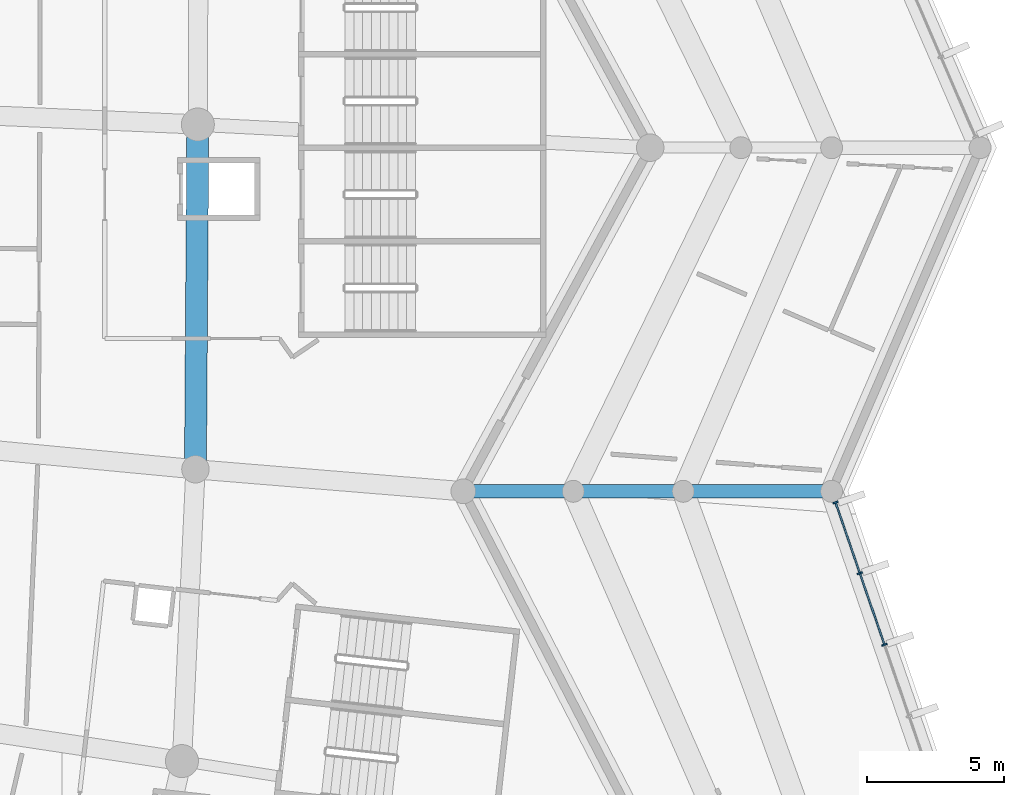
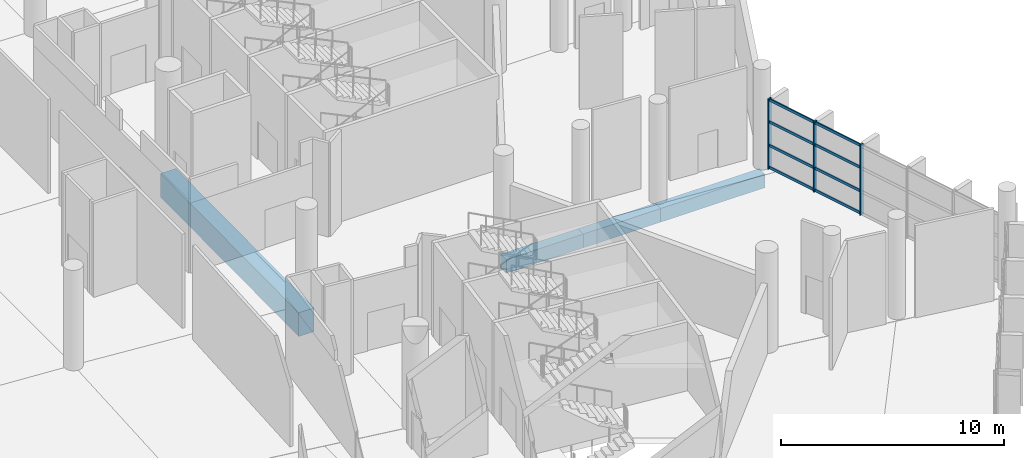
# One storey, part 59 of 271: 11 members, 4 beams, 1 element without a shape of its own.
"""IFC4 building model written with IfcOpenShell, lengths in metres."""

from ifc_helpers import new_model, si_unit, direction, frame, origin, origin_2d, place, context, subcontext, project, spatial, rectangle, extrude, material, layer, layer_set, material_profile, profile_set, type_object, element, aggregate, save


model = new_model("IFC4")

# Units and contexts
model_context = context("Model", 3, precision=1e-05, world=origin(), true_north=direction((0.0, 1.0)))
body_context = subcontext(model_context, "Body", "Model", "MODEL_VIEW")
ifc_project = project(units=[si_unit("LENGTHUNIT", "METRE"), si_unit("AREAUNIT", "SQUARE_METRE"), si_unit("VOLUMEUNIT", "CUBIC_METRE"), si_unit("PLANEANGLEUNIT", "RADIAN"), si_unit("MASSUNIT", "GRAM", prefix="KILO")], contexts=[model_context])

# Site, building, storey
site_placement = place(None, origin())
site = spatial("IfcSite", under=ifc_project, at=site_placement, CompositionType="ELEMENT")
building_placement = place(site_placement, origin())
building = spatial("IfcBuilding", under=site, at=building_placement, Name="Meseta Stadium", CompositionType="ELEMENT")
storey_placement = place(building_placement, frame((0.0, 0.0, 6.5)))
storey = spatial("IfcBuildingStorey", under=building, at=storey_placement, Name="L01", CompositionType="ELEMENT", Elevation=6.5)

# Beams
ifc_material_1 = material(Name="Concrete C40/50", Category="concrete")
ifc_material_profile_1 = material_profile(ifc_material_1, rectangle(XDim=0.5, YDim=0.75, at=origin_2d()), Name="RC 500x750")
ifc_profile_set_1 = profile_set([ifc_material_profile_1], Name="Concrete C40/50")
beam_type_1 = type_object("IfcBeamType", Name="RC beam 500x750", PredefinedType="BEAM", material=ifc_profile_set_1)
for number, where, z_axis, x_axis, name in (
    (1, (94.60009765625, -43.75, -0.72509765625), (1.0, 0.0, 0.0), (0.0, 1.0, 0.0), "L01 radial beam frame 1 line R to M"),
    (2, (98.60009765625, -43.75, -0.72509765625), (1.0, 0.0, 0.0), (0.0, 1.0, 0.0), "L01 radial beam frame 1 line M to Q"),
):
    element("IfcBeam", number, at=place(storey_placement, frame(where, z_axis=z_axis, x_axis=x_axis)), inside=storey, type_object=beam_type_1, Name=name, PredefinedType="BEAM", context=body_context, shape_type="SweptSolid", body=[
        extrude(rectangle(XDim=0.5, YDim=0.75, at=origin_2d()), origin(), (0.0, 0.0, 1.0), 4.0),
    ])
beam_1_placement = place(storey_placement, frame((102.60009765625, -43.75, -0.72509765625), z_axis=(1.0, 0.0, 0.0), x_axis=(0.0, 1.0, 0.0)))
element("IfcBeam", 3, at=beam_1_placement, inside=storey, type_object=beam_type_1, Name="L01 radial beam frame 1 line Q to O", PredefinedType="BEAM", context=body_context, shape_type="SweptSolid", body=[
    extrude(rectangle(XDim=0.5, YDim=0.75, at=origin_2d()), origin(), (0.0, 0.0, 1.0), 5.39990234375),
])
ifc_material_2 = material(Name="Concrete C40/50", Category="concrete")
ifc_material_profile_2 = material_profile(ifc_material_2, rectangle(XDim=0.800048828125, YDim=1.300048828125, at=origin_2d()), Name="RC 800x1300")
ifc_profile_set_2 = profile_set([ifc_material_profile_2], Name="Concrete C40/50")
beam_type_2 = type_object("IfcBeamType", Name="RC beam 800x1300", PredefinedType="BEAM", material=ifc_profile_set_2)
beam_2_placement = place(storey_placement, frame((84.85400390625, -42.948486328125, -1.0), z_axis=(0.006908869398, 0.999976133477, 0.0), x_axis=(-0.999976133477, 0.006908869398, 0.0)))
element("IfcBeam", 4, at=beam_2_placement, inside=storey, type_object=beam_type_2, Name="L01 ring beam frame 1 line P", PredefinedType="BEAM", context=body_context, shape_type="SweptSolid", body=[
    extrude(rectangle(XDim=0.800048828125, YDim=1.300048828125, at=origin_2d()), origin(), (0.0, 0.0, 1.0), 12.544677734375),
])

# Curtain wall, members
ifc_material_3 = material(Name="Aluminium", Category="aluminium")
ifc_layer = layer(ifc_material_3, 0.199951171875)
ifc_layer_set = layer_set([ifc_layer], Name="Ring shopfront curtain wall")
curtain_wall_type = type_object("IfcCurtainWallType", Name="Ring shopfront curtain wall", PredefinedType="NOTDEFINED", material=ifc_layer_set)
curtain_wall_placement = place(storey_placement, origin())
curtain_wall = element("IfcCurtainWall", 5, at=curtain_wall_placement, inside=storey, type_object=curtain_wall_type, Name="Ring glazing L01 F00", PredefinedType="NOTDEFINED")
ifc_material_4 = material(Name="Aluminium", Category="aluminium")
ifc_material_profile_3 = material_profile(ifc_material_4, rectangle(XDim=0.199951171875, YDim=0.06005859375, at=origin_2d()), Name="CW 200x60")
ifc_profile_set_3 = profile_set([ifc_material_profile_3], Name="Aluminium")
member_type_1 = type_object("IfcMemberType", Name="Ring CW mullion 60x200", PredefinedType="MULLION", material=ifc_profile_set_3)
member_1_placement = place(storey_placement, frame((109.92138671875, -49.33349609375, 0.0), z_axis=(0.0, 0.0, 1.0), x_axis=(-0.945581280042, -0.325385990532, 0.0)))
member_1 = element("IfcMember", 6, at=member_1_placement, type_object=member_type_1, Name="CWR1 mullion 4", PredefinedType="MULLION", context=body_context, shape_type="SweptSolid", body=[
    extrude(rectangle(XDim=0.199951171875, YDim=0.06005859375, at=origin_2d()), origin(), (0.0, 0.0, 1.0), 3.85009765625),
])
member_2_placement = place(storey_placement, frame((109.02587890625, -46.73095703125, 0.0), z_axis=(0.0, 0.0, 1.0), x_axis=(-0.945581280042, -0.325385990532, 0.0)))
member_2 = element("IfcMember", 7, at=member_2_placement, type_object=member_type_1, Name="CWR1 mullion 5", PredefinedType="MULLION", context=body_context, shape_type="SweptSolid", body=[
    extrude(rectangle(XDim=0.199951171875, YDim=0.06005859375, at=origin_2d()), origin(), (0.0, 0.0, 1.0), 3.85009765625),
])
member_3_placement = place(storey_placement, frame((108.139892578125, -44.156494140625, 0.0), z_axis=(0.0, 0.0, 1.0), x_axis=(-0.945581280042, -0.325385990532, 0.0)))
member_3 = element("IfcMember", 8, at=member_3_placement, type_object=member_type_1, Name="CWR1 mullion 6", PredefinedType="MULLION", context=body_context, shape_type="SweptSolid", body=[
    extrude(rectangle(XDim=0.199951171875, YDim=0.06005859375, at=origin_2d()), origin(), (0.0, 0.0, 1.0), 3.85009765625),
])
ifc_material_5 = material(Name="Aluminium", Category="aluminium")
ifc_material_profile_4 = material_profile(ifc_material_5, rectangle(XDim=0.06005859375, YDim=0.14990234375, at=origin_2d()), Name="CW 60x150")
ifc_profile_set_4 = profile_set([ifc_material_profile_4], Name="Aluminium")
member_type_2 = type_object("IfcMemberType", Name="Ring CW transom 60x150", PredefinedType="USERDEFINED", material=ifc_profile_set_4)
member_4_placement = place(storey_placement, frame((109.91162109375, -49.30517578125, 0.074951171875), z_axis=(-0.32535345265, 0.945592476096, 0.0), x_axis=(-0.945592476096, -0.32535345265, 0.0)))
member_4 = element("IfcMember", 9, at=member_4_placement, type_object=member_type_2, Name="CWR1 transom 4.1", ObjectType="TRANSOM", PredefinedType="USERDEFINED", context=body_context, shape_type="SweptSolid", body=[
    extrude(rectangle(XDim=0.06005859375, YDim=0.14990234375, at=origin_2d()), origin(), (0.0, 0.0, 1.0), 2.6923828125),
])
member_5_placement = place(storey_placement, frame((109.91162109375, -49.30517578125, 1.283447265625), z_axis=(-0.32535345265, 0.945592476096, 0.0), x_axis=(-0.945592476096, -0.32535345265, 0.0)))
member_5 = element("IfcMember", 10, at=member_5_placement, type_object=member_type_2, Name="CWR1 transom 4.2", ObjectType="TRANSOM", PredefinedType="USERDEFINED", context=body_context, shape_type="SweptSolid", body=[
    extrude(rectangle(XDim=0.06005859375, YDim=0.14990234375, at=origin_2d()), origin(), (0.0, 0.0, 1.0), 2.6923828125),
])
member_6_placement = place(storey_placement, frame((109.91162109375, -49.30517578125, 2.566650390625), z_axis=(-0.32535345265, 0.945592476096, 0.0), x_axis=(-0.945592476096, -0.32535345265, 0.0)))
member_6 = element("IfcMember", 11, at=member_6_placement, type_object=member_type_2, Name="CWR1 transom 4.3", ObjectType="TRANSOM", PredefinedType="USERDEFINED", context=body_context, shape_type="SweptSolid", body=[
    extrude(rectangle(XDim=0.06005859375, YDim=0.14990234375, at=origin_2d()), origin(), (0.0, 0.0, 1.0), 2.6923828125),
])
member_7_placement = place(storey_placement, frame((109.91162109375, -49.30517578125, 3.77490234375), z_axis=(-0.32535345265, 0.945592476096, 0.0), x_axis=(-0.945592476096, -0.32535345265, 0.0)))
member_7 = element("IfcMember", 12, at=member_7_placement, type_object=member_type_2, Name="CWR1 transom 4.4", ObjectType="TRANSOM", PredefinedType="USERDEFINED", context=body_context, shape_type="SweptSolid", body=[
    extrude(rectangle(XDim=0.06005859375, YDim=0.14990234375, at=origin_2d()), origin(), (0.0, 0.0, 1.0), 2.6923828125),
])
member_8_placement = place(storey_placement, frame((109.01611328125, -46.702392578125, 0.074951171875), z_axis=(-0.325428270426, 0.94556672996, 0.0), x_axis=(-0.94556672996, -0.325428270426, 0.0)))
member_8 = element("IfcMember", 13, at=member_8_placement, type_object=member_type_2, Name="CWR1 transom 5.1", ObjectType="TRANSOM", PredefinedType="USERDEFINED", context=body_context, shape_type="SweptSolid", body=[
    extrude(rectangle(XDim=0.06005859375, YDim=0.14990234375, at=origin_2d()), origin(), (0.0, 0.0, 1.0), 2.66259765625),
])
member_9_placement = place(storey_placement, frame((109.01611328125, -46.702392578125, 1.283447265625), z_axis=(-0.325428270426, 0.94556672996, 0.0), x_axis=(-0.94556672996, -0.325428270426, 0.0)))
member_9 = element("IfcMember", 14, at=member_9_placement, type_object=member_type_2, Name="CWR1 transom 5.2", ObjectType="TRANSOM", PredefinedType="USERDEFINED", context=body_context, shape_type="SweptSolid", body=[
    extrude(rectangle(XDim=0.06005859375, YDim=0.14990234375, at=origin_2d()), origin(), (0.0, 0.0, 1.0), 2.66259765625),
])
member_10_placement = place(storey_placement, frame((109.01611328125, -46.702392578125, 2.566650390625), z_axis=(-0.325428270426, 0.94556672996, 0.0), x_axis=(-0.94556672996, -0.325428270426, 0.0)))
member_10 = element("IfcMember", 15, at=member_10_placement, type_object=member_type_2, Name="CWR1 transom 5.3", ObjectType="TRANSOM", PredefinedType="USERDEFINED", context=body_context, shape_type="SweptSolid", body=[
    extrude(rectangle(XDim=0.06005859375, YDim=0.14990234375, at=origin_2d()), origin(), (0.0, 0.0, 1.0), 2.66259765625),
])
member_11_placement = place(storey_placement, frame((109.01611328125, -46.702392578125, 3.77490234375), z_axis=(-0.325428270426, 0.94556672996, 0.0), x_axis=(-0.94556672996, -0.325428270426, 0.0)))
member_11 = element("IfcMember", 16, at=member_11_placement, type_object=member_type_2, Name="CWR1 transom 5.4", ObjectType="TRANSOM", PredefinedType="USERDEFINED", context=body_context, shape_type="SweptSolid", body=[
    extrude(rectangle(XDim=0.06005859375, YDim=0.14990234375, at=origin_2d()), origin(), (0.0, 0.0, 1.0), 2.66259765625),
])
aggregate(curtain_wall, [member_1, member_2, member_3, member_4, member_5, member_6, member_7, member_8, member_9, member_10, member_11])

save(model, "model.ifc")
